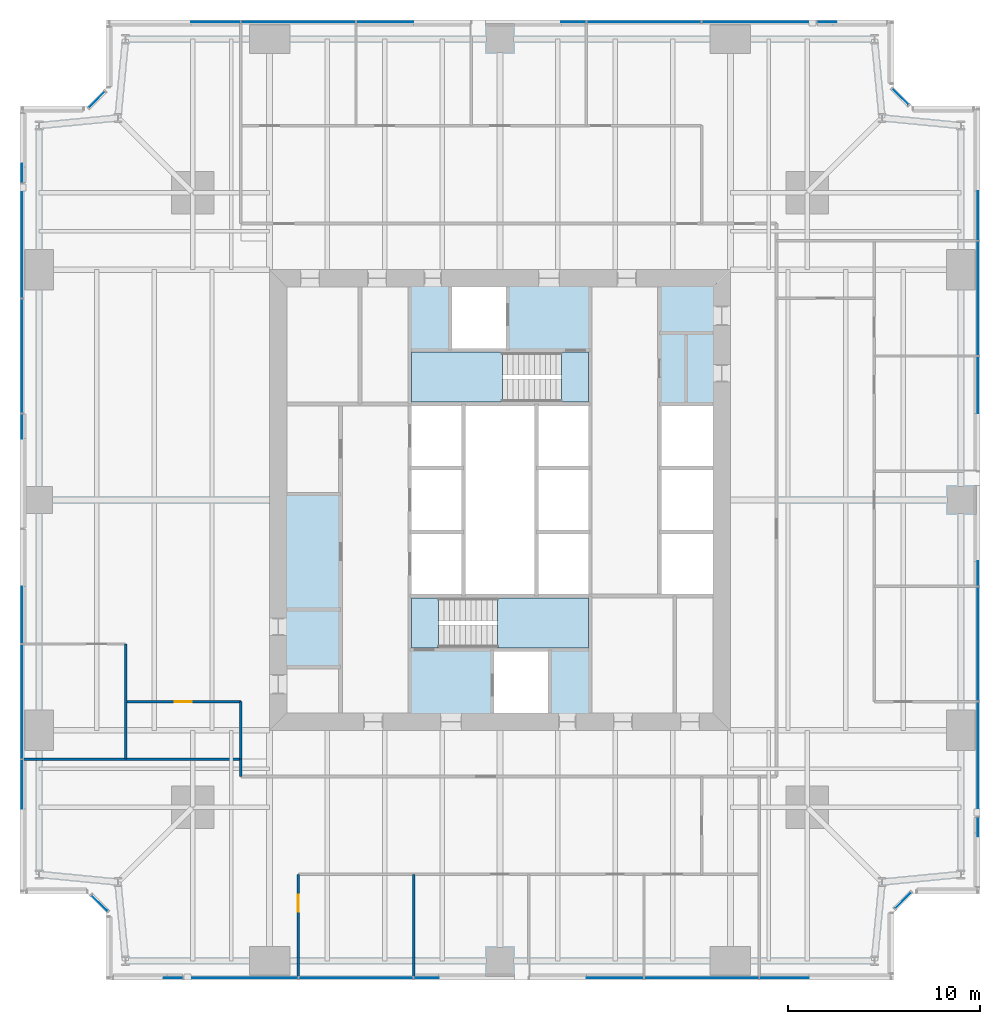
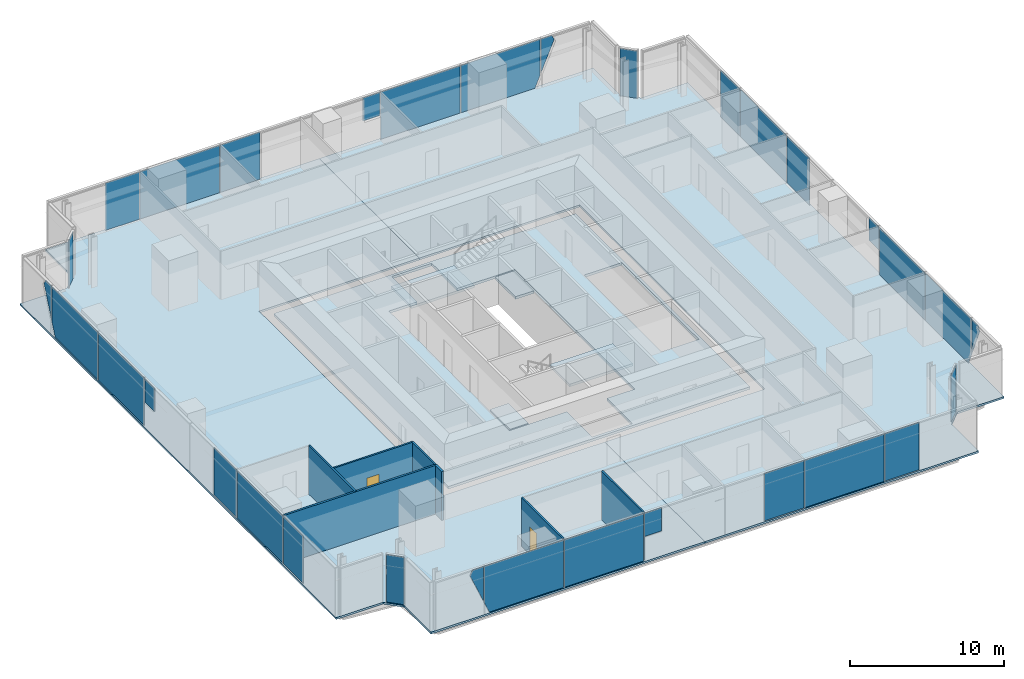
# One storey, part 8 of 13: 32 plates, 7 slabs, 7 walls, 2 doors, 2 openings, 10 elements without a shape of their own.
"""IFC4 building model written with IfcOpenShell, lengths in metres."""

from ifc_helpers import new_model, si_unit, direction, frame, frame_2d, origin, origin_2d, place, context, subcontext, project, spatial, polyline, rectangle, outline, extrude, material, layer, layer_set, type_object, element, fill, aggregate, save


model = new_model("IFC4")

# Units and contexts
model_context = context("Model", 3, precision=1e-05, world=origin(), true_north=direction((0.0, 1.0)))
body_context = subcontext(model_context, "Body", "Model", "MODEL_VIEW")
ifc_project = project(units=[si_unit("LENGTHUNIT", "METRE"), si_unit("AREAUNIT", "SQUARE_METRE"), si_unit("VOLUMEUNIT", "CUBIC_METRE"), si_unit("PLANEANGLEUNIT", "RADIAN"), si_unit("MASSUNIT", "GRAM", prefix="KILO")], contexts=[model_context])

# Site, building, storey
site_placement = place(None, origin())
site = spatial("IfcSite", under=ifc_project, at=site_placement, CompositionType="ELEMENT")
building_placement = place(site_placement, origin())
building = spatial("IfcBuilding", under=site, at=building_placement, Name="Fenwick Lantern Interchange", CompositionType="ELEMENT")
storey_placement = place(building_placement, frame((0.0, 0.0, 110.39990234375)))
storey = spatial("IfcBuildingStorey", under=building, at=storey_placement, Name="L25", CompositionType="ELEMENT", Elevation=110.39990234375)

# Slabs
ifc_material_1 = material(Name="Concrete f'c 35 MPa", Category="concrete")
ifc_layer_1 = layer(ifc_material_1, 0.199951171875)
ifc_layer_set_1 = layer_set([ifc_layer_1], Name="CORE FLOOR SLAB 200")
slab_type_1 = type_object("IfcSlabType", Name="CORE FLOOR SLAB 200", PredefinedType="FLOOR", material=ifc_layer_set_1)
slab_1_placement = place(storey_placement, frame((0.0, 0.0, -0.199951171875)))
element("IfcSlab", 1, at=slab_1_placement, inside=storey, type_object=slab_type_1, Name="L25/SLAB/CORE", PredefinedType="FLOOR", context=body_context, shape_type="SweptSolid", body=[
    extrude(outline(polyline([(13.699951171875, 36.300048828125), (36.300048828125, 36.300048828125), (36.300048828125, 13.699951171875), (13.699951171875, 13.699951171875), (13.699951171875, 36.300048828125)]), holes=[polyline([(29.699951171875, 17.199951171875), (29.699951171875, 20.0), (29.699951171875, 23.333251953125), (29.699951171875, 26.666748046875), (29.699951171875, 30.0), (29.699951171875, 32.800048828125), (25.39990234375, 32.800048828125), (25.39990234375, 36.10009765625), (22.39990234375, 36.10009765625), (22.39990234375, 32.800048828125), (20.300048828125, 32.800048828125), (20.300048828125, 30.0), (20.300048828125, 26.666748046875), (20.300048828125, 23.333251953125), (20.300048828125, 20.0), (20.300048828125, 17.199951171875), (24.60009765625, 17.199951171875), (24.60009765625, 13.89990234375), (27.60009765625, 13.89990234375), (27.60009765625, 17.199951171875), (29.699951171875, 17.199951171875)]), polyline([(33.300048828125, 23.333251953125), (33.300048828125, 20.0), (36.10009765625, 20.0), (36.10009765625, 23.333251953125), (36.10009765625, 26.666748046875), (36.10009765625, 30.0), (33.300048828125, 30.0), (33.300048828125, 26.666748046875), (33.300048828125, 23.333251953125)])]), origin(), (0.0, 0.0, 1.0), 0.199951171875),
])
ifc_material_2 = material(Name="Concrete f'c 35 MPa", Category="concrete")
ifc_layer_2 = layer(ifc_material_2, 0.14990234375)
ifc_layer_set_2 = layer_set([ifc_layer_2], Name="Concrete f'c 35 MPa")
slab_type_2 = type_object("IfcSlabType", Name="FLOOR SLAB 150", PredefinedType="FLOOR", material=ifc_layer_set_2)
slab_2_placement = place(storey_placement, frame((0.0, 0.0, -0.14990234375)))
element("IfcSlab", 2, at=slab_2_placement, inside=storey, type_object=slab_type_2, Name="L25/SLAB/FW", PredefinedType="FLOOR", context=body_context, shape_type="SweptSolid", body=[
    extrude(outline(polyline([(4.5, 0.0), (4.5, 3.5), (3.5, 4.5), (0.0, 4.5), (0.0, 45.5), (3.5, 45.5), (4.5, 46.5), (4.5, 50.0), (25.0, 50.0), (25.0, 37.0), (13.0, 37.0), (13.0, 13.0), (25.0, 13.0), (25.0, 0.0), (4.5, 0.0)])), origin(), (0.0, 0.0, 1.0), 0.14990234375),
])
slab_3_placement = place(storey_placement, frame((0.0, 0.0, -0.14990234375)))
element("IfcSlab", 3, at=slab_3_placement, inside=storey, type_object=slab_type_2, Name="L25/SLAB/FE", PredefinedType="FLOOR", context=body_context, shape_type="SweptSolid", body=[
    extrude(outline(polyline([(45.5, 50.0), (45.5, 46.5), (46.5, 45.5), (50.0, 45.5), (50.0, 4.5), (46.5, 4.5), (45.5, 3.5), (45.5, 0.0), (25.0, 0.0), (25.0, 13.0), (37.0, 13.0), (37.0, 37.0), (25.0, 37.0), (25.0, 50.0), (45.5, 50.0)])), origin(), (0.0, 0.0, 1.0), 0.14990234375),
])

# Curtain wall, plates
ifc_material_3 = material(Name="Aluminium curtain wall frame", Category="aluminium")
curtain_wall_type = type_object("IfcCurtainWallType", Name="OFFICE CURTAIN WALL", PredefinedType="USERDEFINED", material=ifc_material_3)
curtain_wall_1_placement = place(storey_placement, origin())
curtain_wall_1 = element("IfcCurtainWall", 4, at=curtain_wall_1_placement, inside=storey, type_object=curtain_wall_type, Name="Office curtain wall 01", ObjectType="OFFICE CURTAIN WALL", PredefinedType="USERDEFINED")
ifc_material_4 = material(Name="Vision glass, clear low-iron double glazed", Category="glass")
ifc_layer_3 = layer(ifc_material_4, 0.031982421875)
ifc_layer_set_3 = layer_set([ifc_layer_3], Name="OFFICE CURTAIN WALL PANEL 32")
plate_type = type_object("IfcPlateType", Name="OFFICE CURTAIN WALL PANEL 32", PredefinedType="CURTAIN_PANEL", material=ifc_layer_set_3)
plate_1_placement = place(storey_placement, frame((4.60009765625, 0.10009765625, 1.041015625), z_axis=(0.0, 0.0, 1.0), x_axis=(1.0, 0.0, 0.0)))
plate_1 = element("IfcPlate", 5, at=plate_1_placement, type_object=plate_type, Name="L25/CW/01/P00a", PredefinedType="CURTAIN_PANEL", context=body_context, shape_type="SweptSolid", body=[
    extrude(outline(polyline([(3.867431640625, 0.0), (3.867431640625, 2.708984375), (3.054931640625, 2.708984375), (2.87255859375, 2.3203125), (3.867431640625, 0.0)])), frame((0.0, 0.01611328125, 0.0), z_axis=(0.0, -1.0, 0.0), x_axis=(1.0, 0.0, 0.0)), (0.0, 0.0, 1.0), 0.031982421875),
])
plate_2_placement = place(storey_placement, frame((4.60009765625, 0.10009765625, 0.0), z_axis=(0.0, 0.0, 1.0), x_axis=(1.0, 0.0, 0.0)))
plate_2 = element("IfcPlate", 6, at=plate_2_placement, type_object=plate_type, Name="L25/CW/01/P01a", PredefinedType="CURTAIN_PANEL", context=body_context, shape_type="SweptSolid", body=[
    extrude(outline(polyline([(4.313720703125, 0.0), (9.867431640625, 0.0), (9.867431640625, 3.75), (3.9326171875, 3.75), (3.9326171875, 0.889404296875), (4.313720703125, 0.0)])), frame((0.0, 0.01611328125, 0.0), z_axis=(0.0, -1.0, 0.0), x_axis=(1.0, 0.0, 0.0)), (0.0, 0.0, 1.0), 0.031982421875),
])
plate_3_placement = place(storey_placement, frame((17.5, 0.10009765625, 0.0), z_axis=(0.0, 0.0, 1.0), x_axis=(1.0, 0.0, 0.0)))
plate_3 = element("IfcPlate", 7, at=plate_3_placement, type_object=plate_type, Name="L25/CW/01/P02", PredefinedType="CURTAIN_PANEL", context=body_context, shape_type="SweptSolid", body=[
    extrude(rectangle(XDim=5.93505859375, YDim=0.031982421875, at=origin_2d()), origin(), (0.0, 0.0, 1.0), 3.75),
])
plate_4_placement = place(storey_placement, frame((4.60009765625, 0.10009765625, 1.907958984375), z_axis=(0.0, 0.0, 1.0), x_axis=(1.0, 0.0, 0.0)))
plate_4 = element("IfcPlate", 8, at=plate_4_placement, type_object=plate_type, Name="L25/CW/01/P03a", PredefinedType="CURTAIN_PANEL", context=body_context, shape_type="SweptSolid", body=[
    extrude(outline(polyline([(15.9326171875, 0.0), (17.197509765625, 0.0), (17.197509765625, 1.842041015625), (15.9326171875, 1.842041015625), (15.9326171875, 0.0)])), frame((0.0, 0.01611328125, 0.0), z_axis=(0.0, -1.0, 0.0), x_axis=(1.0, 0.0, 0.0)), (0.0, 0.0, 1.0), 0.031982421875),
])
plate_5_placement = place(storey_placement, frame((4.60009765625, 0.10009765625, 0.002197265625), z_axis=(0.0, 0.0, 1.0), x_axis=(1.0, 0.0, 0.0)))
plate_5 = element("IfcPlate", 9, at=plate_5_placement, type_object=plate_type, Name="L25/CW/01/P04a", PredefinedType="CURTAIN_PANEL", context=body_context, shape_type="SweptSolid", body=[
    extrude(outline(polyline([(24.909912109375, 0.0), (27.867431640625, 0.0), (27.867431640625, 3.747802734375), (24.909912109375, 3.747802734375), (24.909912109375, 0.0)])), frame((0.0, 0.01611328125, 0.0), z_axis=(0.0, -1.0, 0.0), x_axis=(1.0, 0.0, 0.0)), (0.0, 0.0, 1.0), 0.031982421875),
])
plate_6_placement = place(storey_placement, frame((35.5, 0.10009765625, 0.0), z_axis=(0.0, 0.0, 1.0), x_axis=(1.0, 0.0, 0.0)))
plate_6 = element("IfcPlate", 10, at=plate_6_placement, type_object=plate_type, Name="L25/CW/01/P05", PredefinedType="CURTAIN_PANEL", context=body_context, shape_type="SweptSolid", body=[
    extrude(rectangle(XDim=5.93505859375, YDim=0.031982421875, at=origin_2d()), origin(), (0.0, 0.0, 1.0), 3.75),
])
plate_7_placement = place(storey_placement, frame((4.60009765625, 0.10009765625, 0.003173828125), z_axis=(0.0, 0.0, 1.0), x_axis=(1.0, 0.0, 0.0)))
plate_7 = element("IfcPlate", 11, at=plate_7_placement, type_object=plate_type, Name="L25/CW/01/P06a", PredefinedType="CURTAIN_PANEL", context=body_context, shape_type="SweptSolid", body=[
    extrude(outline(polyline([(33.9326171875, 0.0), (36.487548828125, 0.0), (36.487548828125, 3.746826171875), (33.9326171875, 3.746826171875), (33.9326171875, 0.0)])), frame((0.0, 0.01611328125, 0.0), z_axis=(0.0, -1.0, 0.0), x_axis=(1.0, 0.0, 0.0)), (0.0, 0.0, 1.0), 0.031982421875),
])
aggregate(curtain_wall_1, [plate_1, plate_2, plate_3, plate_4, plate_5, plate_6, plate_7])

# Curtain wall, plate
curtain_wall_2_placement = place(storey_placement, origin())
curtain_wall_2 = element("IfcCurtainWall", 12, at=curtain_wall_2_placement, inside=storey, type_object=curtain_wall_type, Name="Office curtain wall 03", ObjectType="OFFICE CURTAIN WALL", PredefinedType="USERDEFINED")
plate_8_placement = place(storey_placement, frame((46.0, 4.141357421875, 0.0), z_axis=(0.0, 0.0, 1.0), x_axis=(0.707106781187, 0.707106781187, 0.0)))
plate_8 = element("IfcPlate", 13, at=plate_8_placement, type_object=plate_type, Name="L25/CW/03/P00", PredefinedType="CURTAIN_PANEL", context=body_context, shape_type="SweptSolid", body=[
    extrude(rectangle(XDim=1.1669921875, YDim=0.031982421875, at=origin_2d()), origin(), (0.0, 0.0, 1.0), 3.75),
])
aggregate(curtain_wall_2, [plate_8])

# Curtain wall, plates
curtain_wall_3_placement = place(storey_placement, origin())
curtain_wall_3 = element("IfcCurtainWall", 14, at=curtain_wall_3_placement, inside=storey, type_object=curtain_wall_type, Name="Office curtain wall 05", ObjectType="OFFICE CURTAIN WALL", PredefinedType="USERDEFINED")
plate_9_placement = place(storey_placement, frame((49.89990234375, 4.60009765625, 1.041015625), z_axis=(0.0, 0.0, 1.0), x_axis=(0.0, 1.0, 0.0)))
plate_9 = element("IfcPlate", 15, at=plate_9_placement, type_object=plate_type, Name="L25/CW/05/P00a", PredefinedType="CURTAIN_PANEL", context=body_context, shape_type="SweptSolid", body=[
    extrude(outline(polyline([(3.867431640625, 0.0), (3.867431640625, 2.708984375), (3.054931640625, 2.708984375), (2.87255859375, 2.3203125), (3.867431640625, 0.0)])), frame((0.0, 0.01611328125, 0.0), z_axis=(0.0, -1.0, 0.0), x_axis=(1.0, 0.0, 0.0)), (0.0, 0.0, 1.0), 0.031982421875),
])
plate_10_placement = place(storey_placement, frame((49.89990234375, 4.60009765625, 0.0), z_axis=(0.0, 0.0, 1.0), x_axis=(0.0, 1.0, 0.0)))
plate_10 = element("IfcPlate", 16, at=plate_10_placement, type_object=plate_type, Name="L25/CW/05/P01a", PredefinedType="CURTAIN_PANEL", context=body_context, shape_type="SweptSolid", body=[
    extrude(outline(polyline([(4.313720703125, 0.0), (9.867431640625, 0.0), (9.867431640625, 3.75), (3.9326171875, 3.75), (3.9326171875, 0.889404296875), (4.313720703125, 0.0)])), frame((0.0, 0.01611328125, 0.0), z_axis=(0.0, -1.0, 0.0), x_axis=(1.0, 0.0, 0.0)), (0.0, 0.0, 1.0), 0.031982421875),
])
plate_11_placement = place(storey_placement, frame((49.89990234375, 17.5, 0.0), z_axis=(0.0, 0.0, 1.0), x_axis=(0.0, 1.0, 0.0)))
plate_11 = element("IfcPlate", 17, at=plate_11_placement, type_object=plate_type, Name="L25/CW/05/P02", PredefinedType="CURTAIN_PANEL", context=body_context, shape_type="SweptSolid", body=[
    extrude(rectangle(XDim=5.93505859375, YDim=0.031982421875, at=origin_2d()), origin(), (0.0, 0.0, 1.0), 3.75),
])
plate_12_placement = place(storey_placement, frame((49.89990234375, 4.60009765625, 1.907958984375), z_axis=(0.0, 0.0, 1.0), x_axis=(0.0, 1.0, 0.0)))
plate_12 = element("IfcPlate", 18, at=plate_12_placement, type_object=plate_type, Name="L25/CW/05/P03a", PredefinedType="CURTAIN_PANEL", context=body_context, shape_type="SweptSolid", body=[
    extrude(outline(polyline([(15.9326171875, 0.0), (17.197509765625, 0.0), (17.197509765625, 1.842041015625), (15.9326171875, 1.842041015625), (15.9326171875, 0.0)])), frame((0.0, 0.01611328125, 0.0), z_axis=(0.0, -1.0, 0.0), x_axis=(1.0, 0.0, 0.0)), (0.0, 0.0, 1.0), 0.031982421875),
])
plate_13_placement = place(storey_placement, frame((49.89990234375, 4.60009765625, 0.002197265625), z_axis=(0.0, 0.0, 1.0), x_axis=(0.0, 1.0, 0.0)))
plate_13 = element("IfcPlate", 19, at=plate_13_placement, type_object=plate_type, Name="L25/CW/05/P04a", PredefinedType="CURTAIN_PANEL", context=body_context, shape_type="SweptSolid", body=[
    extrude(outline(polyline([(24.909912109375, 0.0), (27.867431640625, 0.0), (27.867431640625, 3.747802734375), (24.909912109375, 3.747802734375), (24.909912109375, 0.0)])), frame((0.0, 0.01611328125, 0.0), z_axis=(0.0, -1.0, 0.0), x_axis=(1.0, 0.0, 0.0)), (0.0, 0.0, 1.0), 0.031982421875),
])
plate_14_placement = place(storey_placement, frame((49.89990234375, 35.5, 0.0), z_axis=(0.0, 0.0, 1.0), x_axis=(0.0, 1.0, 0.0)))
plate_14 = element("IfcPlate", 20, at=plate_14_placement, type_object=plate_type, Name="L25/CW/05/P05", PredefinedType="CURTAIN_PANEL", context=body_context, shape_type="SweptSolid", body=[
    extrude(rectangle(XDim=5.93505859375, YDim=0.031982421875, at=origin_2d()), origin(), (0.0, 0.0, 1.0), 3.75),
])
plate_15_placement = place(storey_placement, frame((49.89990234375, 4.60009765625, 0.003173828125), z_axis=(0.0, 0.0, 1.0), x_axis=(0.0, 1.0, 0.0)))
plate_15 = element("IfcPlate", 21, at=plate_15_placement, type_object=plate_type, Name="L25/CW/05/P06a", PredefinedType="CURTAIN_PANEL", context=body_context, shape_type="SweptSolid", body=[
    extrude(outline(polyline([(33.9326171875, 0.0), (36.487548828125, 0.0), (36.487548828125, 3.746826171875), (33.9326171875, 3.746826171875), (33.9326171875, 0.0)])), frame((0.0, 0.01611328125, 0.0), z_axis=(0.0, -1.0, 0.0), x_axis=(1.0, 0.0, 0.0)), (0.0, 0.0, 1.0), 0.031982421875),
])
aggregate(curtain_wall_3, [plate_9, plate_10, plate_11, plate_12, plate_13, plate_14, plate_15])

# Curtain wall, plate
curtain_wall_4_placement = place(storey_placement, origin())
curtain_wall_4 = element("IfcCurtainWall", 22, at=curtain_wall_4_placement, inside=storey, type_object=curtain_wall_type, Name="Office curtain wall 07", ObjectType="OFFICE CURTAIN WALL", PredefinedType="USERDEFINED")
plate_16_placement = place(storey_placement, frame((45.858642578125, 46.0, 0.0), z_axis=(0.0, 0.0, 1.0), x_axis=(-0.707106781187, 0.707106781187, 0.0)))
plate_16 = element("IfcPlate", 23, at=plate_16_placement, type_object=plate_type, Name="L25/CW/07/P00", PredefinedType="CURTAIN_PANEL", context=body_context, shape_type="SweptSolid", body=[
    extrude(rectangle(XDim=1.1669921875, YDim=0.031982421875, at=origin_2d()), origin(), (0.0, 0.0, 1.0), 3.75),
])
aggregate(curtain_wall_4, [plate_16])

# Curtain wall, plates
curtain_wall_5_placement = place(storey_placement, origin())
curtain_wall_5 = element("IfcCurtainWall", 24, at=curtain_wall_5_placement, inside=storey, type_object=curtain_wall_type, Name="Office curtain wall 09", ObjectType="OFFICE CURTAIN WALL", PredefinedType="USERDEFINED")
plate_17_placement = place(storey_placement, frame((45.39990234375, 49.89990234375, 1.041015625), z_axis=(0.0, 0.0, 1.0), x_axis=(-1.0, 0.0, 0.0)))
plate_17 = element("IfcPlate", 25, at=plate_17_placement, type_object=plate_type, Name="L25/CW/09/P00a", PredefinedType="CURTAIN_PANEL", context=body_context, shape_type="SweptSolid", body=[
    extrude(outline(polyline([(3.867431640625, 0.0), (3.867431640625, 2.708984375), (3.054931640625, 2.708984375), (2.87255859375, 2.3203125), (3.867431640625, 0.0)])), frame((0.0, 0.01611328125, 0.0), z_axis=(0.0, -1.0, 0.0), x_axis=(1.0, 0.0, 0.0)), (0.0, 0.0, 1.0), 0.031982421875),
])
plate_18_placement = place(storey_placement, frame((45.39990234375, 49.89990234375, 0.0), z_axis=(0.0, 0.0, 1.0), x_axis=(-1.0, 0.0, 0.0)))
plate_18 = element("IfcPlate", 26, at=plate_18_placement, type_object=plate_type, Name="L25/CW/09/P01a", PredefinedType="CURTAIN_PANEL", context=body_context, shape_type="SweptSolid", body=[
    extrude(outline(polyline([(4.313720703125, 0.0), (9.867431640625, 0.0), (9.867431640625, 3.75), (3.9326171875, 3.75), (3.9326171875, 0.889404296875), (4.313720703125, 0.0)])), frame((0.0, 0.01611328125, 0.0), z_axis=(0.0, -1.0, 0.0), x_axis=(1.0, 0.0, 0.0)), (0.0, 0.0, 1.0), 0.031982421875),
])
plate_19_placement = place(storey_placement, frame((32.5, 49.89990234375, 0.0), z_axis=(0.0, 0.0, 1.0), x_axis=(-1.0, 0.0, 0.0)))
plate_19 = element("IfcPlate", 27, at=plate_19_placement, type_object=plate_type, Name="L25/CW/09/P02", PredefinedType="CURTAIN_PANEL", context=body_context, shape_type="SweptSolid", body=[
    extrude(rectangle(XDim=5.93505859375, YDim=0.031982421875, at=origin_2d()), origin(), (0.0, 0.0, 1.0), 3.75),
])
plate_20_placement = place(storey_placement, frame((45.39990234375, 49.89990234375, 1.907958984375), z_axis=(0.0, 0.0, 1.0), x_axis=(-1.0, 0.0, 0.0)))
plate_20 = element("IfcPlate", 28, at=plate_20_placement, type_object=plate_type, Name="L25/CW/09/P03a", PredefinedType="CURTAIN_PANEL", context=body_context, shape_type="SweptSolid", body=[
    extrude(outline(polyline([(15.9326171875, 0.0), (17.197509765625, 0.0), (17.197509765625, 1.842041015625), (15.9326171875, 1.842041015625), (15.9326171875, 0.0)])), frame((0.0, 0.01611328125, 0.0), z_axis=(0.0, -1.0, 0.0), x_axis=(1.0, 0.0, 0.0)), (0.0, 0.0, 1.0), 0.031982421875),
])
plate_21_placement = place(storey_placement, frame((45.39990234375, 49.89990234375, 0.002197265625), z_axis=(0.0, 0.0, 1.0), x_axis=(-1.0, 0.0, 0.0)))
plate_21 = element("IfcPlate", 29, at=plate_21_placement, type_object=plate_type, Name="L25/CW/09/P04a", PredefinedType="CURTAIN_PANEL", context=body_context, shape_type="SweptSolid", body=[
    extrude(outline(polyline([(24.909912109375, 0.0), (27.867431640625, 0.0), (27.867431640625, 3.747802734375), (24.909912109375, 3.747802734375), (24.909912109375, 0.0)])), frame((0.0, 0.01611328125, 0.0), z_axis=(0.0, -1.0, 0.0), x_axis=(1.0, 0.0, 0.0)), (0.0, 0.0, 1.0), 0.031982421875),
])
plate_22_placement = place(storey_placement, frame((14.5, 49.89990234375, 0.0), z_axis=(0.0, 0.0, 1.0), x_axis=(-1.0, 0.0, 0.0)))
plate_22 = element("IfcPlate", 30, at=plate_22_placement, type_object=plate_type, Name="L25/CW/09/P05", PredefinedType="CURTAIN_PANEL", context=body_context, shape_type="SweptSolid", body=[
    extrude(rectangle(XDim=5.93505859375, YDim=0.031982421875, at=origin_2d()), origin(), (0.0, 0.0, 1.0), 3.75),
])
plate_23_placement = place(storey_placement, frame((45.39990234375, 49.89990234375, 0.003173828125), z_axis=(0.0, 0.0, 1.0), x_axis=(-1.0, 0.0, 0.0)))
plate_23 = element("IfcPlate", 31, at=plate_23_placement, type_object=plate_type, Name="L25/CW/09/P06a", PredefinedType="CURTAIN_PANEL", context=body_context, shape_type="SweptSolid", body=[
    extrude(outline(polyline([(33.9326171875, 0.0), (36.487548828125, 0.0), (36.487548828125, 3.746826171875), (33.9326171875, 3.746826171875), (33.9326171875, 0.0)])), frame((0.0, 0.01611328125, 0.0), z_axis=(0.0, -1.0, 0.0), x_axis=(1.0, 0.0, 0.0)), (0.0, 0.0, 1.0), 0.031982421875),
])
aggregate(curtain_wall_5, [plate_17, plate_18, plate_19, plate_20, plate_21, plate_22, plate_23])

# Curtain wall, plate
curtain_wall_6_placement = place(storey_placement, origin())
curtain_wall_6 = element("IfcCurtainWall", 32, at=curtain_wall_6_placement, inside=storey, type_object=curtain_wall_type, Name="Office curtain wall 11", ObjectType="OFFICE CURTAIN WALL", PredefinedType="USERDEFINED")
plate_24_placement = place(storey_placement, frame((4.0, 45.858642578125, 0.0), z_axis=(0.0, 0.0, 1.0), x_axis=(-0.707106781187, -0.707106781187, 0.0)))
plate_24 = element("IfcPlate", 33, at=plate_24_placement, type_object=plate_type, Name="L25/CW/11/P00", PredefinedType="CURTAIN_PANEL", context=body_context, shape_type="SweptSolid", body=[
    extrude(rectangle(XDim=1.1669921875, YDim=0.031982421875, at=origin_2d()), origin(), (0.0, 0.0, 1.0), 3.75),
])
aggregate(curtain_wall_6, [plate_24])

# Curtain wall, plates
curtain_wall_7_placement = place(storey_placement, origin())
curtain_wall_7 = element("IfcCurtainWall", 34, at=curtain_wall_7_placement, inside=storey, type_object=curtain_wall_type, Name="Office curtain wall 13", ObjectType="OFFICE CURTAIN WALL", PredefinedType="USERDEFINED")
plate_25_placement = place(storey_placement, frame((0.10009765625, 45.39990234375, 1.041015625), z_axis=(0.0, 0.0, 1.0), x_axis=(0.0, -1.0, 0.0)))
plate_25 = element("IfcPlate", 35, at=plate_25_placement, type_object=plate_type, Name="L25/CW/13/P00a", PredefinedType="CURTAIN_PANEL", context=body_context, shape_type="SweptSolid", body=[
    extrude(outline(polyline([(3.867431640625, 0.0), (3.867431640625, 2.708984375), (3.054931640625, 2.708984375), (2.87255859375, 2.3203125), (3.867431640625, 0.0)])), frame((0.0, 0.01611328125, 0.0), z_axis=(0.0, -1.0, 0.0), x_axis=(1.0, 0.0, 0.0)), (0.0, 0.0, 1.0), 0.031982421875),
])
plate_26_placement = place(storey_placement, frame((0.10009765625, 45.39990234375, 0.0), z_axis=(0.0, 0.0, 1.0), x_axis=(0.0, -1.0, 0.0)))
plate_26 = element("IfcPlate", 36, at=plate_26_placement, type_object=plate_type, Name="L25/CW/13/P01a", PredefinedType="CURTAIN_PANEL", context=body_context, shape_type="SweptSolid", body=[
    extrude(outline(polyline([(4.313720703125, 0.0), (9.867431640625, 0.0), (9.867431640625, 3.75), (3.9326171875, 3.75), (3.9326171875, 0.889404296875), (4.313720703125, 0.0)])), frame((0.0, 0.01611328125, 0.0), z_axis=(0.0, -1.0, 0.0), x_axis=(1.0, 0.0, 0.0)), (0.0, 0.0, 1.0), 0.031982421875),
])
plate_27_placement = place(storey_placement, frame((0.10009765625, 32.5, 0.0), z_axis=(0.0, 0.0, 1.0), x_axis=(0.0, -1.0, 0.0)))
plate_27 = element("IfcPlate", 37, at=plate_27_placement, type_object=plate_type, Name="L25/CW/13/P02", PredefinedType="CURTAIN_PANEL", context=body_context, shape_type="SweptSolid", body=[
    extrude(rectangle(XDim=5.93505859375, YDim=0.031982421875, at=origin_2d()), origin(), (0.0, 0.0, 1.0), 3.75),
])
plate_28_placement = place(storey_placement, frame((0.10009765625, 45.39990234375, 1.907958984375), z_axis=(0.0, 0.0, 1.0), x_axis=(0.0, -1.0, 0.0)))
plate_28 = element("IfcPlate", 38, at=plate_28_placement, type_object=plate_type, Name="L25/CW/13/P03a", PredefinedType="CURTAIN_PANEL", context=body_context, shape_type="SweptSolid", body=[
    extrude(outline(polyline([(15.9326171875, 0.0), (17.197509765625, 0.0), (17.197509765625, 1.842041015625), (15.9326171875, 1.842041015625), (15.9326171875, 0.0)])), frame((0.0, 0.01611328125, 0.0), z_axis=(0.0, -1.0, 0.0), x_axis=(1.0, 0.0, 0.0)), (0.0, 0.0, 1.0), 0.031982421875),
])
plate_29_placement = place(storey_placement, frame((0.10009765625, 45.39990234375, 0.002197265625), z_axis=(0.0, 0.0, 1.0), x_axis=(0.0, -1.0, 0.0)))
plate_29 = element("IfcPlate", 39, at=plate_29_placement, type_object=plate_type, Name="L25/CW/13/P04a", PredefinedType="CURTAIN_PANEL", context=body_context, shape_type="SweptSolid", body=[
    extrude(outline(polyline([(24.909912109375, 0.0), (27.867431640625, 0.0), (27.867431640625, 3.747802734375), (24.909912109375, 3.747802734375), (24.909912109375, 0.0)])), frame((0.0, 0.01611328125, 0.0), z_axis=(0.0, -1.0, 0.0), x_axis=(1.0, 0.0, 0.0)), (0.0, 0.0, 1.0), 0.031982421875),
])
plate_30_placement = place(storey_placement, frame((0.10009765625, 14.5, 0.0), z_axis=(0.0, 0.0, 1.0), x_axis=(0.0, -1.0, 0.0)))
plate_30 = element("IfcPlate", 40, at=plate_30_placement, type_object=plate_type, Name="L25/CW/13/P05", PredefinedType="CURTAIN_PANEL", context=body_context, shape_type="SweptSolid", body=[
    extrude(rectangle(XDim=5.93505859375, YDim=0.031982421875, at=origin_2d()), origin(), (0.0, 0.0, 1.0), 3.75),
])
plate_31_placement = place(storey_placement, frame((0.10009765625, 45.39990234375, 0.003173828125), z_axis=(0.0, 0.0, 1.0), x_axis=(0.0, -1.0, 0.0)))
plate_31 = element("IfcPlate", 41, at=plate_31_placement, type_object=plate_type, Name="L25/CW/13/P06a", PredefinedType="CURTAIN_PANEL", context=body_context, shape_type="SweptSolid", body=[
    extrude(outline(polyline([(33.9326171875, 0.0), (36.487548828125, 0.0), (36.487548828125, 3.746826171875), (33.9326171875, 3.746826171875), (33.9326171875, 0.0)])), frame((0.0, 0.01611328125, 0.0), z_axis=(0.0, -1.0, 0.0), x_axis=(1.0, 0.0, 0.0)), (0.0, 0.0, 1.0), 0.031982421875),
])
aggregate(curtain_wall_7, [plate_25, plate_26, plate_27, plate_28, plate_29, plate_30, plate_31])

# Curtain wall, plate
curtain_wall_8_placement = place(storey_placement, origin())
curtain_wall_8 = element("IfcCurtainWall", 42, at=curtain_wall_8_placement, inside=storey, type_object=curtain_wall_type, Name="Office curtain wall 15", ObjectType="OFFICE CURTAIN WALL", PredefinedType="USERDEFINED")
plate_32_placement = place(storey_placement, frame((4.141357421875, 4.0, 0.0), z_axis=(0.0, 0.0, 1.0), x_axis=(0.707106781187, -0.707106781187, 0.0)))
plate_32 = element("IfcPlate", 43, at=plate_32_placement, type_object=plate_type, Name="L25/CW/15/P00", PredefinedType="CURTAIN_PANEL", context=body_context, shape_type="SweptSolid", body=[
    extrude(rectangle(XDim=1.1669921875, YDim=0.031982421875, at=origin_2d()), origin(), (0.0, 0.0, 1.0), 3.75),
])
aggregate(curtain_wall_8, [plate_32])

# Stair, slabs
ifc_material_5 = material(Name="Precast concrete f'c 35 MPa", Category="concrete")
stair_type = type_object("IfcStairType", Name="EXIT STAIR 1200", PredefinedType="HALF_TURN_STAIR", material=ifc_material_5)
stair_1_placement = place(storey_placement, origin())
stair_1 = element("IfcStair", 44, at=stair_1_placement, inside=storey, type_object=stair_type, Name="Exit stair ST1", PredefinedType="HALF_TURN_STAIR")
ifc_layer_4 = layer(ifc_material_1, 0.199951171875)
ifc_layer_set_4 = layer_set([ifc_layer_4], Name="STAIR LANDING 200")
slab_type_3 = type_object("IfcSlabType", Name="STAIR LANDING 200", PredefinedType="LANDING", material=ifc_layer_set_4)
slab_4_placement = place(storey_placement, frame((0.0, 0.0, 1.800048828125)))
slab_4 = element("IfcSlab", 45, at=slab_4_placement, type_object=slab_type_3, Name="ST1 landing 1", PredefinedType="LANDING", context=body_context, shape_type="SweptSolid", body=[
    extrude(outline(polyline([(24.8798828125, 17.300048828125), (29.60009765625, 17.300048828125), (29.60009765625, 19.89990234375), (24.8798828125, 19.89990234375), (24.8798828125, 17.300048828125)])), origin(), (0.0, 0.0, 1.0), 0.199951171875),
])
slab_5_placement = place(storey_placement, frame((0.0, 0.0, -0.199951171875)))
slab_5 = element("IfcSlab", 46, at=slab_5_placement, type_object=slab_type_3, Name="ST1 landing 2", PredefinedType="LANDING", context=body_context, shape_type="SweptSolid", body=[
    extrude(outline(polyline([(20.39990234375, 17.300048828125), (21.800048828125, 17.300048828125), (21.800048828125, 19.89990234375), (20.39990234375, 19.89990234375), (20.39990234375, 17.300048828125)])), origin(), (0.0, 0.0, 1.0), 0.199951171875),
])
aggregate(stair_1, [slab_4, slab_5])

stair_2_placement = place(storey_placement, origin())
stair_2 = element("IfcStair", 47, at=stair_2_placement, inside=storey, type_object=stair_type, Name="Exit stair ST2", PredefinedType="HALF_TURN_STAIR")
slab_6_placement = place(storey_placement, frame((0.0, 0.0, 1.800048828125)))
slab_6 = element("IfcSlab", 48, at=slab_6_placement, type_object=slab_type_3, Name="ST2 landing 1", PredefinedType="LANDING", context=body_context, shape_type="SweptSolid", body=[
    extrude(outline(polyline([(25.1201171875, 32.699951171875), (20.39990234375, 32.699951171875), (20.39990234375, 30.10009765625), (25.1201171875, 30.10009765625), (25.1201171875, 32.699951171875)])), origin(), (0.0, 0.0, 1.0), 0.199951171875),
])
slab_7_placement = place(storey_placement, frame((0.0, 0.0, -0.199951171875)))
slab_7 = element("IfcSlab", 49, at=slab_7_placement, type_object=slab_type_3, Name="ST2 landing 2", PredefinedType="LANDING", context=body_context, shape_type="SweptSolid", body=[
    extrude(outline(polyline([(29.60009765625, 32.699951171875), (28.199951171875, 32.699951171875), (28.199951171875, 30.10009765625), (29.60009765625, 30.10009765625), (29.60009765625, 32.699951171875)])), origin(), (0.0, 0.0, 1.0), 0.199951171875),
])
aggregate(stair_2, [slab_6, slab_7])

# Wall
ifc_material_6 = material(Name="Gypsum board on steel studs, 1 hour", Category="steel")
ifc_layer_5 = layer(ifc_material_6, 0.14990234375)
ifc_layer_set_5 = layer_set([ifc_layer_5], Name="CORRIDOR WALL 150")
wall_type_1 = type_object("IfcWallType", Name="CORRIDOR WALL 150", PredefinedType="PARTITIONING", material=ifc_layer_set_5)
wall_1_placement = place(storey_placement, frame((11.5, 11.5, 0.0), z_axis=(0.0, 0.0, 1.0), x_axis=(0.0, -1.0, 0.0)))
element("IfcWall", 50, at=wall_1_placement, inside=storey, type_object=wall_type_1, Name="L25/W/OFF/S/CWJ", PredefinedType="PARTITIONING", context=body_context, shape_type="SweptSolid", body=[
    extrude(rectangle(XDim=0.89990234375, YDim=0.14990234375, at=frame_2d((0.449951171875, 0.0))), origin(), (0.0, 0.0, 1.0), 3.85009765625),
])

# Wall, opening, door
ifc_material_7 = material(Name="Gypsum board on steel studs, acoustic", Category="steel")
ifc_layer_6 = layer(ifc_material_7, 0.125)
ifc_layer_set_6 = layer_set([ifc_layer_6], Name="OFFICE PARTITION 125")
wall_type_2 = type_object("IfcWallType", Name="OFFICE PARTITION 125", PredefinedType="PARTITIONING", material=ifc_layer_set_6)
wall_2_placement = place(storey_placement, frame((14.5, 0.14990234375, 0.0), z_axis=(0.0, 0.0, 1.0), x_axis=(0.0, 1.0, 0.0)))
wall_2 = element("IfcWall", 51, at=wall_2_placement, inside=storey, type_object=wall_type_2, Name="L25/W/OFF/S/X145-1", PredefinedType="PARTITIONING", context=body_context, shape_type="SweptSolid", body=[
    extrude(rectangle(XDim=5.35009765625, YDim=0.125, at=frame_2d((2.675048828125, 0.0))), origin(), (0.0, 0.0, 1.0), 3.85009765625),
])
opening_1_placement = place(wall_2_placement, frame((3.39990234375, 0.0, 0.0)))
opening_1 = element("IfcOpeningElement", 52, at=opening_1_placement, cuts=wall_2, Name="Opening L25-D021", PredefinedType="OPENING", context=body_context, shape_type="SweptSolid", body=[
    extrude(rectangle(XDim=0.89990234375, YDim=2.199951171875, at=frame_2d((0.449951171875, 1.10009765625))), frame((0.0, 0.072509765625, 0.0), z_axis=(0.0, -1.0, 0.0), x_axis=(1.0, 0.0, 0.0)), (0.0, 0.0, 1.0), 0.14501953125),
])
ifc_material_8 = material(Name="Hardwood door and steel frame", Category="steel")
door_type = type_object("IfcDoorType", Name="OFFICE DOOR 900 X 2200", OperationType="SINGLE_SWING_LEFT", PredefinedType="DOOR", material=ifc_material_8)
door_1_placement = place(opening_1_placement, frame((0.89990234375, 0.0, 0.0), z_axis=(0.0, 0.0, 1.0), x_axis=(-1.0, 0.0, 0.0)))
door_1 = element("IfcDoor", 53, at=door_1_placement, inside=storey, type_object=door_type, Name="Office door", OperationType="SINGLE_SWING_LEFT", OverallHeight=2.199951171875, OverallWidth=0.89990234375, PredefinedType="DOOR", context=body_context, shape_type="SweptSolid", body=[
    extrude(rectangle(XDim=0.89990234375, YDim=2.199951171875, at=frame_2d((0.449951171875, 1.10009765625))), frame((0.0, 0.02490234375, 0.0), z_axis=(0.0, -1.0, 0.0), x_axis=(1.0, 0.0, 0.0)), (0.0, 0.0, 1.0), 0.050048828125),
])
fill(opening_1, door_1)

# Wall
wall_3_placement = place(storey_placement, frame((20.5, 0.14990234375, 0.0), z_axis=(0.0, 0.0, 1.0), x_axis=(0.0, 1.0, 0.0)))
element("IfcWall", 54, at=wall_3_placement, inside=storey, type_object=wall_type_2, Name="L25/W/OFF/S/X205-1", PredefinedType="PARTITIONING", context=body_context, shape_type="SweptSolid", body=[
    extrude(rectangle(XDim=5.35009765625, YDim=0.125, at=frame_2d((2.675048828125, 0.0))), origin(), (0.0, 0.0, 1.0), 3.85009765625),
])

# Wall, opening, door
wall_4_placement = place(storey_placement, frame((5.5, 14.5, 0.0), z_axis=(0.0, 0.0, 1.0), x_axis=(1.0, 0.0, 0.0)))
wall_4 = element("IfcWall", 55, at=wall_4_placement, inside=storey, type_object=wall_type_2, Name="L25/W/OFF/W/X355-1", PredefinedType="PARTITIONING", context=body_context, shape_type="SweptSolid", body=[
    extrude(rectangle(XDim=6.0, YDim=0.125, at=frame_2d((3.0, 0.0))), origin(), (0.0, 0.0, 1.0), 3.85009765625),
])
opening_2_placement = place(wall_4_placement, frame((2.550048828125, 0.0, 0.0)))
opening_2 = element("IfcOpeningElement", 56, at=opening_2_placement, cuts=wall_4, Name="Opening L25-D040", PredefinedType="OPENING", context=body_context, shape_type="SweptSolid", body=[
    extrude(rectangle(XDim=0.89990234375, YDim=2.199951171875, at=frame_2d((0.449951171875, 1.10009765625))), frame((0.0, 0.072509765625, 0.0), z_axis=(0.0, -1.0, 0.0), x_axis=(1.0, 0.0, 0.0)), (0.0, 0.0, 1.0), 0.14501953125),
])
door_2_placement = place(opening_2_placement, frame((0.89990234375, 0.0, 0.0), z_axis=(0.0, 0.0, 1.0), x_axis=(-1.0, 0.0, 0.0)))
door_2 = element("IfcDoor", 57, at=door_2_placement, inside=storey, type_object=door_type, Name="Office door", OperationType="SINGLE_SWING_RIGHT", OverallHeight=2.199951171875, OverallWidth=0.89990234375, PredefinedType="DOOR", context=body_context, shape_type="SweptSolid", body=[
    extrude(rectangle(XDim=0.89990234375, YDim=2.199951171875, at=frame_2d((0.449951171875, 1.10009765625))), frame((0.0, 0.02490234375, 0.0), z_axis=(0.0, -1.0, 0.0), x_axis=(1.0, 0.0, 0.0)), (0.0, 0.0, 1.0), 0.050048828125),
])
fill(opening_2, door_2)

# Walls
wall_5_placement = place(storey_placement, frame((5.5, 17.5, 0.0), z_axis=(0.0, 0.0, 1.0), x_axis=(0.0, -1.0, 0.0)))
element("IfcWall", 58, at=wall_5_placement, inside=storey, type_object=wall_type_2, Name="L25/W/OFF/W/Y55-1", PredefinedType="PARTITIONING", context=body_context, shape_type="SweptSolid", body=[
    extrude(rectangle(XDim=6.0, YDim=0.125, at=frame_2d((3.0, 0.0))), origin(), (0.0, 0.0, 1.0), 3.85009765625),
])
wall_6_placement = place(storey_placement, frame((11.5, 14.5, 0.0), z_axis=(0.0, 0.0, 1.0), x_axis=(0.0, -1.0, 0.0)))
element("IfcWall", 59, at=wall_6_placement, inside=storey, type_object=wall_type_2, Name="L25/W/OFF/W/CWS1", PredefinedType="PARTITIONING", context=body_context, shape_type="SweptSolid", body=[
    extrude(rectangle(XDim=3.0, YDim=0.125, at=frame_2d((1.5, 0.0))), origin(), (0.0, 0.0, 1.0), 3.85009765625),
])
ifc_material_9 = material(Name="Gypsum board on steel studs, 1 hour acoustic", Category="steel")
ifc_layer_7 = layer(ifc_material_9, 0.14990234375)
ifc_layer_set_7 = layer_set([ifc_layer_7], Name="TENANT WALL 150")
wall_type_3 = type_object("IfcWallType", Name="TENANT WALL 150", PredefinedType="PARTITIONING", material=ifc_layer_set_7)
wall_7_placement = place(storey_placement, frame((0.14990234375, 11.5, 0.0), z_axis=(0.0, 0.0, 1.0), x_axis=(1.0, 0.0, 0.0)))
element("IfcWall", 60, at=wall_7_placement, inside=storey, type_object=wall_type_3, Name="L25/W/OFF/S/BACK", PredefinedType="PARTITIONING", context=body_context, shape_type="SweptSolid", body=[
    extrude(rectangle(XDim=11.35009765625, YDim=0.14990234375, at=frame_2d((5.675048828125, 0.0))), origin(), (0.0, 0.0, 1.0), 3.85009765625),
])

save(model, "model.ifc")
